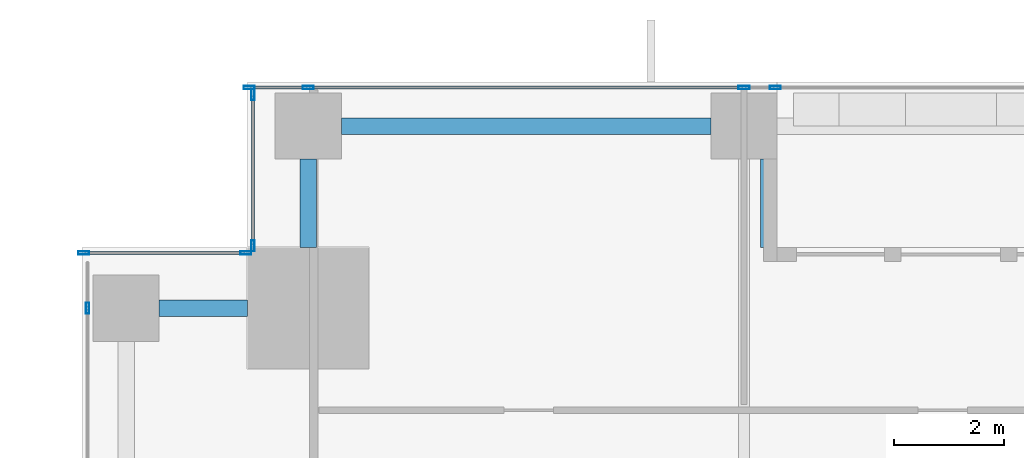
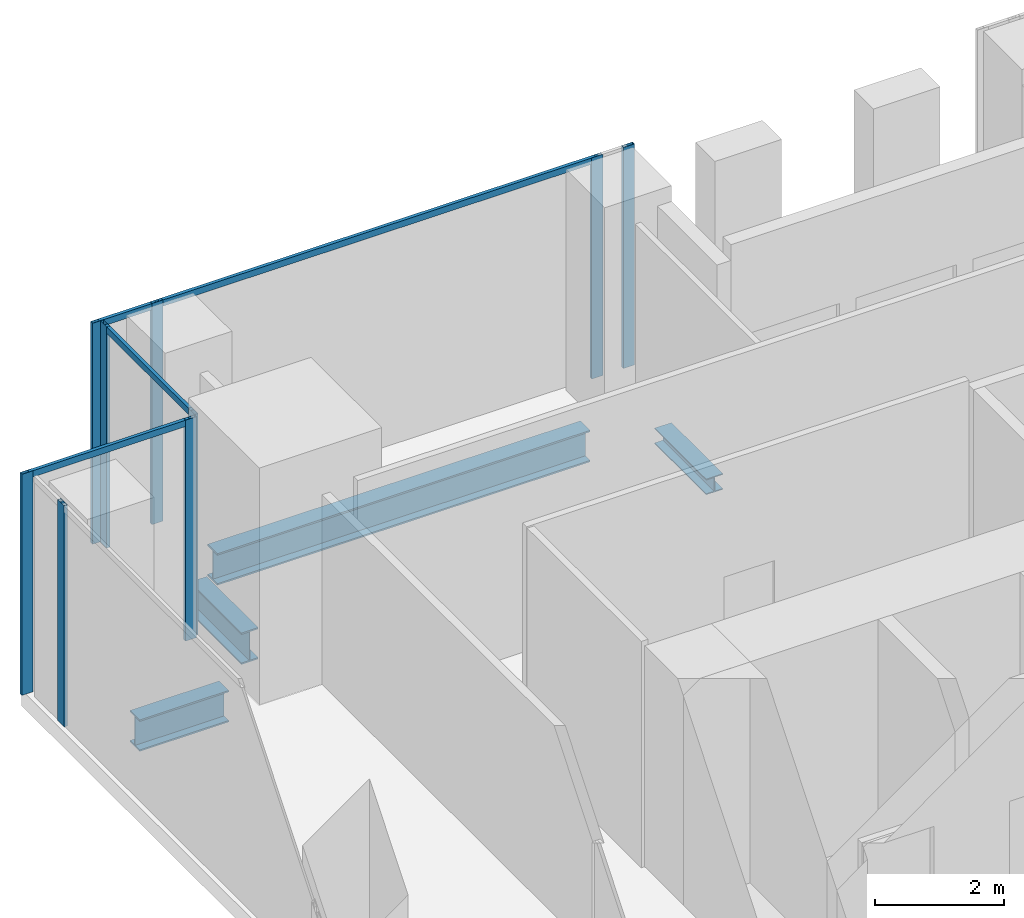
# One storey, part 14 of 32: 13 members, 4 beams, 4 elements without a shape of their own.
"""IFC4 building model written with IfcOpenShell, lengths in metres."""

from ifc_helpers import new_model, si_unit, direction, frame, origin, origin_2d, place, context, subcontext, project, spatial, hollow_rectangle, i_section, extrude, source, transform, mapped, material, material_profile, profile_set, type_object, element, aggregate, save


model = new_model("IFC4")

# Units and contexts
model_context = context("Model", 3, precision=1e-05, world=origin(), true_north=direction((0.0, 1.0)))
body_context = subcontext(model_context, "Body", "Model", "MODEL_VIEW")
ifc_project = project(units=[si_unit("LENGTHUNIT", "METRE"), si_unit("AREAUNIT", "SQUARE_METRE"), si_unit("VOLUMEUNIT", "CUBIC_METRE"), si_unit("PLANEANGLEUNIT", "RADIAN"), si_unit("MASSUNIT", "GRAM", prefix="KILO")], contexts=[model_context])

# Site, building, storey
site_placement = place(None, origin())
site = spatial("IfcSite", under=ifc_project, at=site_placement, CompositionType="ELEMENT")
building_placement = place(site_placement, origin())
building = spatial("IfcBuilding", under=site, at=building_placement, Name="Khomas Fold Tower", CompositionType="ELEMENT")
storey_placement = place(building_placement, frame((0.0, 0.0, 37.5)))
storey = spatial("IfcBuildingStorey", under=building, at=storey_placement, Name="L07", CompositionType="ELEMENT", Elevation=37.5)

# Beams
ifc_material_1 = material(Name="Steel S355", Category="steel")
ifc_material_profile_1 = material_profile(ifc_material_1, i_section(OverallWidth=0.300048828125, OverallDepth=0.60009765625, WebThickness=0.015380859375, FlangeThickness=0.030029296875, at=origin_2d()), Name="HE 600 B")
ifc_profile_set_1 = profile_set([ifc_material_profile_1], Name="Steel S355")
beam_type_1 = type_object("IfcBeamType", Name="HE 600 B spandrel SB1", PredefinedType="SPANDREL", material=ifc_profile_set_1)
shared_shape_1 = source(origin(), body_context, "Body", "SweptSolid", [
    extrude(i_section(OverallWidth=0.300048828125, OverallDepth=0.60009765625, WebThickness=0.015380859375, FlangeThickness=0.030029296875, at=origin_2d()), origin(), (0.0, 0.0, 1.0), 6.699951171875),
])
beam_1_placement = place(storey_placement, frame((4.699951171875, 53.199951171875, -0.60009765625), z_axis=(1.0, 0.0, 0.0), x_axis=(0.0, 1.0, 0.0)))
element("IfcBeam", 1, at=beam_1_placement, inside=storey, type_object=beam_type_1, Name="SB1", PredefinedType="SPANDREL", context=body_context, shape_type="MappedRepresentation", body=[
    mapped(shared_shape_1, transform((0.0, 0.0, 0.0))),
])
shared_shape_2 = source(origin(), body_context, "Body", "SweptSolid", [
    extrude(i_section(OverallWidth=0.300048828125, OverallDepth=0.60009765625, WebThickness=0.015380859375, FlangeThickness=0.030029296875, at=origin_2d()), origin(), (0.0, 0.0, 1.0), 1.60009765625),
])
for number, where, z_axis, x_axis, name in (
    (2, (4.10009765625, 51.0, -0.60009765625), (0.0, 1.0, 0.0), (-1.0, 0.0, 0.0), "SB1"),
    (3, (1.39990234375, 49.89990234375, -0.60009765625), (1.0, 0.0, 0.0), (0.0, 1.0, 0.0), "SB1"),
):
    element("IfcBeam", number, at=place(storey_placement, frame(where, z_axis=z_axis, x_axis=x_axis)), inside=storey, type_object=beam_type_1, Name=name, PredefinedType="SPANDREL", context=body_context, shape_type="MappedRepresentation", body=[
        mapped(shared_shape_2, transform((0.0, 0.0, 0.0))),
    ])
ifc_material_2 = material(Name="Steel S355", Category="steel")
ifc_material_profile_2 = material_profile(ifc_material_2, i_section(OverallWidth=0.300048828125, OverallDepth=0.300048828125, WebThickness=0.010986328125, FlangeThickness=0.01904296875, at=origin_2d()), Name="HE 300 B")
ifc_profile_set_2 = profile_set([ifc_material_profile_2], Name="Steel S355")
beam_type_2 = type_object("IfcBeamType", Name="HE 300 B beam BB1", PredefinedType="BEAM", material=ifc_profile_set_2)
shared_shape_3 = source(origin(), body_context, "Body", "SweptSolid", [
    extrude(i_section(OverallWidth=0.300048828125, OverallDepth=0.300048828125, WebThickness=0.010986328125, FlangeThickness=0.01904296875, at=origin_2d()), origin(), (0.0, 0.0, 1.0), 1.60009765625),
])
beam_2_placement = place(storey_placement, frame((12.449951171875, 51.0, -0.449951171875), z_axis=(0.0, 1.0, 0.0), x_axis=(-1.0, 0.0, 0.0)))
element("IfcBeam", 4, at=beam_2_placement, inside=storey, type_object=beam_type_2, Name="BB1", PredefinedType="BEAM", context=body_context, shape_type="MappedRepresentation", body=[
    mapped(shared_shape_3, transform((0.0, 0.0, 0.0))),
])

# Curtain wall, members
ifc_material_3 = material(Name="Aluminium framed double glazing", Category="aluminium")
curtain_wall_type = type_object("IfcCurtainWallType", Name="SK-Unitised clear-glass wall, growing floors CW1", PredefinedType="NOTDEFINED", material=ifc_material_3)
curtain_wall_1_placement = place(storey_placement, origin())
curtain_wall_1 = element("IfcCurtainWall", 5, at=curtain_wall_1_placement, inside=storey, type_object=curtain_wall_type, Name="CW1 run L07 06-1", PredefinedType="NOTDEFINED")
ifc_material_4 = material(Name="Aluminium", Category="aluminium")
ifc_material_profile_3 = material_profile(ifc_material_4, hollow_rectangle(XDim=0.06005859375, YDim=0.1201171875, WallThickness=0.00390625, at=origin_2d()), Name="SK-Unitised clear-glass wall, growing floors transom CW1-T")
ifc_profile_set_3 = profile_set([ifc_material_profile_3], Name="Aluminium")
member_type_1 = type_object("IfcMemberType", Name="SK-Unitised clear-glass wall, growing floors transom CW1-T", PredefinedType="USERDEFINED", material=ifc_profile_set_3)
shared_shape_4 = source(origin(), body_context, "Body", "SweptSolid", [
    extrude(hollow_rectangle(XDim=0.06005859375, YDim=0.1201171875, WallThickness=0.00390625, at=origin_2d()), origin(), (0.0, 0.0, 1.0), 7.840087890625),
])
member_1_placement = place(storey_placement, frame((11.969970703125, 53.89990234375, 4.139892578125), z_axis=(-1.0, 0.0, 0.0), x_axis=(0.0, -1.0, 0.0)))
member_1 = element("IfcMember", 6, at=member_1_placement, type_object=member_type_1, Name="CW1 transom 2", ObjectType="TRANSOM", PredefinedType="USERDEFINED", context=body_context, shape_type="MappedRepresentation", body=[
    mapped(shared_shape_4, transform((0.0, 0.0, 0.0))),
])
shared_shape_5 = source(origin(), body_context, "Body", "SweptSolid", [
    extrude(hollow_rectangle(XDim=0.06005859375, YDim=0.1201171875, WallThickness=0.00390625, at=origin_2d()), origin(), (0.0, 0.0, 1.0), 1.010009765625),
])
member_2_placement = place(storey_placement, frame((4.070068359375, 53.89990234375, 4.139892578125), z_axis=(-1.0, 0.0, 0.0), x_axis=(0.0, -1.0, 0.0)))
member_2 = element("IfcMember", 7, at=member_2_placement, type_object=member_type_1, Name="CW1 transom 3", ObjectType="TRANSOM", PredefinedType="USERDEFINED", context=body_context, shape_type="MappedRepresentation", body=[
    mapped(shared_shape_5, transform((0.0, 0.0, 0.0))),
])

# Curtain wall, member
curtain_wall_2_placement = place(storey_placement, origin())
curtain_wall_2 = element("IfcCurtainWall", 8, at=curtain_wall_2_placement, inside=storey, type_object=curtain_wall_type, Name="CW1 corner return L07 07", PredefinedType="NOTDEFINED")
shared_shape_6 = source(origin(), body_context, "Body", "SweptSolid", [
    extrude(hollow_rectangle(XDim=0.06005859375, YDim=0.1201171875, WallThickness=0.00390625, at=origin_2d()), origin(), (0.0, 0.0, 1.0), 2.679931640625),
])
member_3_placement = place(storey_placement, frame((3.10009765625, 53.739990234375, 4.139892578125), z_axis=(0.0, -1.0, 0.0), x_axis=(1.0, 0.0, 0.0)))
member_3 = element("IfcMember", 9, at=member_3_placement, type_object=member_type_1, Name="CW1 transom 1", ObjectType="TRANSOM", PredefinedType="USERDEFINED", context=body_context, shape_type="MappedRepresentation", body=[
    mapped(shared_shape_6, transform((0.0, 0.0, 0.0))),
])

curtain_wall_3_placement = place(storey_placement, origin())
curtain_wall_3 = element("IfcCurtainWall", 10, at=curtain_wall_3_placement, inside=storey, type_object=curtain_wall_type, Name="CW1 corner return L07 08", PredefinedType="NOTDEFINED")
shared_shape_7 = source(origin(), body_context, "Body", "SweptSolid", [
    extrude(hollow_rectangle(XDim=0.06005859375, YDim=0.1201171875, WallThickness=0.00390625, at=origin_2d()), origin(), (0.0, 0.0, 1.0), 2.8798828125),
])
member_4_placement = place(storey_placement, frame((2.93994140625, 50.89990234375, 4.139892578125), z_axis=(-1.0, 0.0, 0.0), x_axis=(0.0, -1.0, 0.0)))
member_4 = element("IfcMember", 11, at=member_4_placement, type_object=member_type_1, Name="CW1 transom 1", ObjectType="TRANSOM", PredefinedType="USERDEFINED", context=body_context, shape_type="MappedRepresentation", body=[
    mapped(shared_shape_7, transform((0.0, 0.0, 0.0))),
])

# Member
ifc_material_5 = material(Name="Aluminium", Category="aluminium")
ifc_material_profile_4 = material_profile(ifc_material_5, hollow_rectangle(XDim=0.06005859375, YDim=0.199951171875, WallThickness=0.00390625, at=origin_2d()), Name="SK-Unitised clear-glass wall, growing floors mullion CW1-M")
ifc_profile_set_4 = profile_set([ifc_material_profile_4], Name="Aluminium")
member_type_2 = type_object("IfcMemberType", Name="SK-Unitised clear-glass wall, growing floors mullion CW1-M", PredefinedType="MULLION", material=ifc_profile_set_4)
shared_shape_8 = source(origin(), body_context, "Body", "SweptSolid", [
    extrude(hollow_rectangle(XDim=0.06005859375, YDim=0.199951171875, WallThickness=0.00390625, at=origin_2d()), origin(), (0.0, 0.0, 1.0), 4.199951171875),
])
member_5_placement = place(storey_placement, frame((12.570068359375, 53.89990234375, 0.0), z_axis=(0.0, 0.0, 1.0), x_axis=(0.0, -1.0, 0.0)))
member_5 = element("IfcMember", 12, at=member_5_placement, type_object=member_type_2, Name="CW1 mullion 1", PredefinedType="MULLION", context=body_context, shape_type="MappedRepresentation", body=[
    mapped(shared_shape_8, transform((0.0, 0.0, 0.0))),
])

member_6_placement = place(storey_placement, frame((12.0, 53.89990234375, 0.0), z_axis=(0.0, 0.0, 1.0), x_axis=(0.0, -1.0, 0.0)))
member_6 = element("IfcMember", 13, at=member_6_placement, type_object=member_type_2, Name="CW1 mullion 2", PredefinedType="MULLION", context=body_context, shape_type="MappedRepresentation", body=[
    mapped(shared_shape_8, transform((0.0, 0.0, 0.0))),
])

member_7_placement = place(storey_placement, frame((4.10009765625, 53.89990234375, 0.0), z_axis=(0.0, 0.0, 1.0), x_axis=(0.0, -1.0, 0.0)))
member_7 = element("IfcMember", 14, at=member_7_placement, type_object=member_type_2, Name="CW1 mullion 3", PredefinedType="MULLION", context=body_context, shape_type="MappedRepresentation", body=[
    mapped(shared_shape_8, transform((0.0, 0.0, 0.0))),
])

member_8_placement = place(storey_placement, frame((3.030029296875, 53.89990234375, 0.0), z_axis=(0.0, 0.0, 1.0), x_axis=(0.0, -1.0, 0.0)))
member_8 = element("IfcMember", 15, at=member_8_placement, type_object=member_type_2, Name="CW1 mullion 4", PredefinedType="MULLION", context=body_context, shape_type="MappedRepresentation", body=[
    mapped(shared_shape_8, transform((0.0, 0.0, 0.0))),
])

aggregate(curtain_wall_1, [member_5, member_6, member_7, member_8, member_1, member_2])

member_9_placement = place(storey_placement, frame((3.10009765625, 53.77001953125, 0.0), z_axis=(0.0, 0.0, 1.0), x_axis=(1.0, 0.0, 0.0)))
member_9 = element("IfcMember", 16, at=member_9_placement, type_object=member_type_2, Name="CW1 mullion 1", PredefinedType="MULLION", context=body_context, shape_type="MappedRepresentation", body=[
    mapped(shared_shape_8, transform((0.0, 0.0, 0.0))),
])

member_10_placement = place(storey_placement, frame((3.10009765625, 51.030029296875, 0.0), z_axis=(0.0, 0.0, 1.0), x_axis=(1.0, 0.0, 0.0)))
member_10 = element("IfcMember", 17, at=member_10_placement, type_object=member_type_2, Name="CW1 mullion 2", PredefinedType="MULLION", context=body_context, shape_type="MappedRepresentation", body=[
    mapped(shared_shape_8, transform((0.0, 0.0, 0.0))),
])

aggregate(curtain_wall_2, [member_9, member_10, member_3])

member_11_placement = place(storey_placement, frame((2.969970703125, 50.89990234375, 0.0), z_axis=(0.0, 0.0, 1.0), x_axis=(0.0, -1.0, 0.0)))
member_11 = element("IfcMember", 18, at=member_11_placement, type_object=member_type_2, Name="CW1 mullion 1", PredefinedType="MULLION", context=body_context, shape_type="MappedRepresentation", body=[
    mapped(shared_shape_8, transform((0.0, 0.0, 0.0))),
])

member_12_placement = place(storey_placement, frame((0.030029296875, 50.89990234375, 0.0), z_axis=(0.0, 0.0, 1.0), x_axis=(0.0, -1.0, 0.0)))
member_12 = element("IfcMember", 19, at=member_12_placement, type_object=member_type_2, Name="CW1 mullion 2", PredefinedType="MULLION", context=body_context, shape_type="MappedRepresentation", body=[
    mapped(shared_shape_8, transform((0.0, 0.0, 0.0))),
])

aggregate(curtain_wall_3, [member_11, member_12, member_4])

# Curtain wall, member
curtain_wall_4_placement = place(storey_placement, origin())
curtain_wall_4 = element("IfcCurtainWall", 20, at=curtain_wall_4_placement, inside=storey, type_object=curtain_wall_type, Name="CW1 run L07 09-0", PredefinedType="NOTDEFINED")
member_13_placement = place(storey_placement, frame((0.10009765625, 49.89990234375, 0.0), z_axis=(0.0, 0.0, 1.0), x_axis=(1.0, 0.0, 0.0)))
member_13 = element("IfcMember", 21, at=member_13_placement, type_object=member_type_2, Name="CW1 mullion 2", PredefinedType="MULLION", context=body_context, shape_type="MappedRepresentation", body=[
    mapped(shared_shape_8, transform((0.0, 0.0, 0.0))),
])
aggregate(curtain_wall_4, [member_13])

save(model, "model.ifc")
